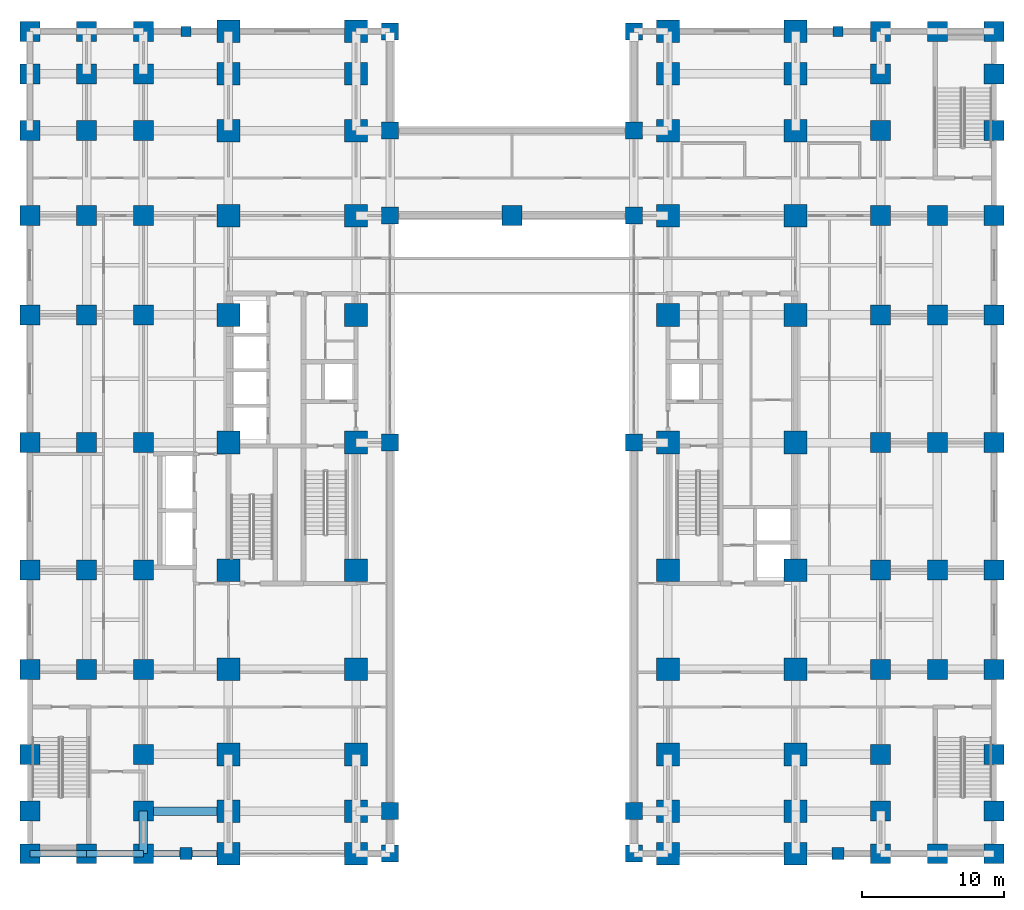
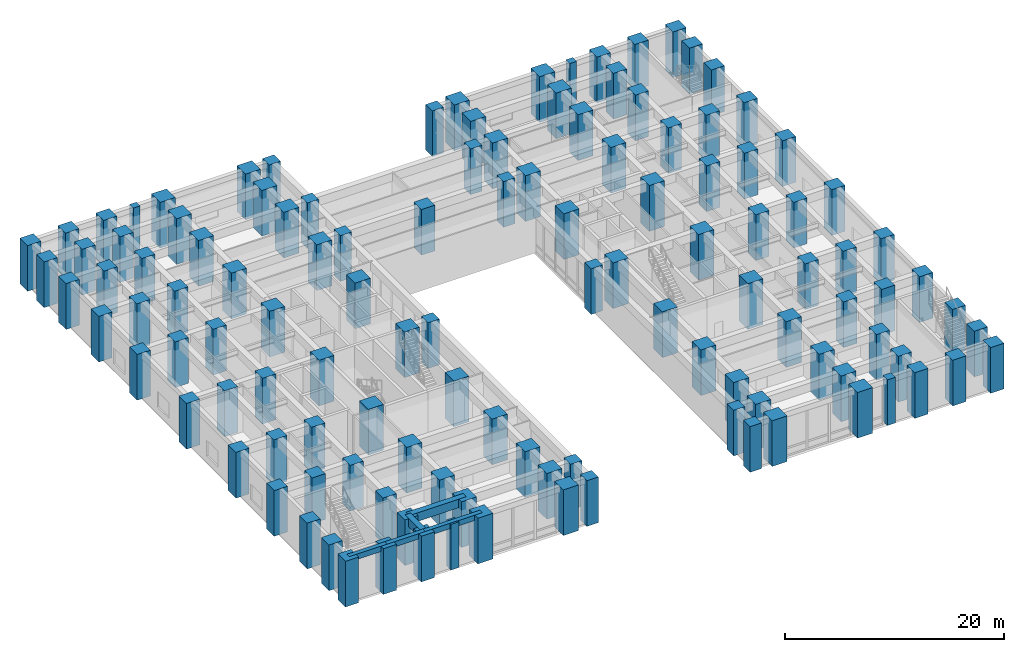
# One storey, part 1 of 21: 121 columns, 5 beams.
"""IFC4 building model written with IfcOpenShell, lengths in metres."""

from ifc_helpers import new_model, si_unit, direction, frame, origin, origin_2d, place, context, subcontext, project, spatial, rectangle, extrude, material, material_profile, profile_set, type_object, element, save


model = new_model("IFC4")

# Units and contexts
model_context = context("Model", 3, precision=1e-05, world=origin(), true_north=direction((0.0, 1.0)))
body_context = subcontext(model_context, "Body", "Model", "MODEL_VIEW")
ifc_project = project(units=[si_unit("LENGTHUNIT", "METRE"), si_unit("AREAUNIT", "SQUARE_METRE"), si_unit("VOLUMEUNIT", "CUBIC_METRE"), si_unit("PLANEANGLEUNIT", "RADIAN"), si_unit("MASSUNIT", "GRAM", prefix="KILO")], contexts=[model_context])

# Site, building, storey
site_placement = place(None, origin())
site = spatial("IfcSite", under=ifc_project, at=site_placement, CompositionType="ELEMENT")
building_placement = place(site_placement, origin())
building = spatial("IfcBuilding", under=site, at=building_placement, Name="Zulmaris Gate Convention Tower", CompositionType="ELEMENT")
storey_placement = place(building_placement, frame((0.0, 0.0, 5.43994140625)))
storey = spatial("IfcBuildingStorey", under=building, at=storey_placement, Name="L01", CompositionType="ELEMENT", Elevation=5.43994140625)

# Columns
ifc_material_1 = material(Name="Concrete C70/85", Category="concrete")
ifc_material_profile_1 = material_profile(ifc_material_1, rectangle(XDim=1.199951171875, YDim=1.199951171875, at=origin_2d()), Name="RC COL 1200x1200")
ifc_profile_set_1 = profile_set([ifc_material_profile_1], Name="Concrete C70/85")
column_type_1 = type_object("IfcColumnType", Name="COL-RC1200", PredefinedType="COLUMN", material=ifc_profile_set_1)
for number, where, z_axis, x_axis, name in (
    (1, (-8.60009765625, -29.0, 0.0), (0.0, 0.0, 1.0), (1.0, 0.0, 0.0), "L01 Column AR--8.6_-29.0"),
    (2, (8.60009765625, -29.0, 0.0), (0.0, 0.0, 1.0), (1.0, 0.0, 0.0), "L01 Column AR-+8.6_-29.0"),
    (3, (-8.60009765625, -26.0, 0.0), (0.0, 0.0, 1.0), (1.0, 0.0, 0.0), "L01 Column AR--8.6_-26.0"),
    (4, (8.60009765625, -26.0, 0.0), (0.0, 0.0, 1.0), (1.0, 0.0, 0.0), "L01 Column AR-+8.6_-26.0"),
    (5, (-8.60009765625, 0.0, 0.0), (0.0, 0.0, 1.0), (1.0, 0.0, 0.0), "L01 Column AR--8.6_+0.0"),
    (6, (8.60009765625, 0.0, 0.0), (0.0, 0.0, 1.0), (1.0, 0.0, 0.0), "L01 Column AR-+8.6_+0.0"),
    (7, (-8.60009765625, 16.0, 0.0), (0.0, 0.0, 1.0), (1.0, 0.0, 0.0), "L01 Column AR--8.6_+16.0"),
    (8, (8.60009765625, 16.0, 0.0), (0.0, 0.0, 1.0), (1.0, 0.0, 0.0), "L01 Column AR-+8.6_+16.0"),
    (9, (-8.60009765625, 22.0, 0.0), (0.0, 0.0, 1.0), (1.0, 0.0, 0.0), "L01 Column AR--8.6_+22.0"),
    (10, (8.60009765625, 22.0, 0.0), (0.0, 0.0, 1.0), (1.0, 0.0, 0.0), "L01 Column AR-+8.6_+22.0"),
    (11, (-8.60009765625, 29.0, 0.0), (0.0, 0.0, 1.0), (1.0, 0.0, 0.0), "L01 Column AR--8.6_+29.0"),
    (12, (8.60009765625, 29.0, 0.0), (0.0, 0.0, 1.0), (1.0, 0.0, 0.0), "L01 Column AR-+8.6_+29.0"),
):
    element("IfcColumn", number, at=place(storey_placement, frame(where, z_axis=z_axis, x_axis=x_axis)), inside=storey, type_object=column_type_1, Name=name, PredefinedType="COLUMN", context=body_context, shape_type="SweptSolid", body=[
        extrude(rectangle(XDim=1.199951171875, YDim=1.199951171875, at=origin_2d()), origin(), (0.0, 0.0, 1.0), 5.08984375),
    ])
ifc_material_2 = material(Name="Concrete C80/95", Category="concrete")
ifc_material_profile_2 = material_profile(ifc_material_2, rectangle(XDim=1.39990234375, YDim=1.39990234375, at=origin_2d()), Name="RC COL 1400x1400")
ifc_profile_set_2 = profile_set([ifc_material_profile_2], Name="Concrete C80/95")
column_type_2 = type_object("IfcColumnType", Name="COL-RC1400", PredefinedType="COLUMN", material=ifc_profile_set_2)
for number, where, z_axis, x_axis, name in (
    (13, (-34.0, -29.0, 0.0), (0.0, 0.0, 1.0), (1.0, 0.0, 0.0), "L01 Column G--34.0_-29.0"),
    (14, (-34.0, -26.0, 0.0), (0.0, 0.0, 1.0), (1.0, 0.0, 0.0), "L01 Column G--34.0_-26.0"),
    (15, (-34.0, -22.0, 0.0), (0.0, 0.0, 1.0), (1.0, 0.0, 0.0), "L01 Column G--34.0_-22.0"),
    (16, (-34.0, -16.0, 0.0), (0.0, 0.0, 1.0), (1.0, 0.0, 0.0), "L01 Column G--34.0_-16.0"),
    (17, (-34.0, -9.0, 0.0), (0.0, 0.0, 1.0), (1.0, 0.0, 0.0), "L01 Column G--34.0_-9.0"),
    (18, (-34.0, 0.0, 0.0), (0.0, 0.0, 1.0), (1.0, 0.0, 0.0), "L01 Column G--34.0_+0.0"),
    (19, (-34.0, 9.0, 0.0), (0.0, 0.0, 1.0), (1.0, 0.0, 0.0), "L01 Column G--34.0_+9.0"),
    (20, (-34.0, 16.0, 0.0), (0.0, 0.0, 1.0), (1.0, 0.0, 0.0), "L01 Column G--34.0_+16.0"),
    (21, (-34.0, 22.0, 0.0), (0.0, 0.0, 1.0), (1.0, 0.0, 0.0), "L01 Column G--34.0_+22.0"),
    (22, (-34.0, 26.0, 0.0), (0.0, 0.0, 1.0), (1.0, 0.0, 0.0), "L01 Column G--34.0_+26.0"),
    (23, (-34.0, 29.0, 0.0), (0.0, 0.0, 1.0), (1.0, 0.0, 0.0), "L01 Column G--34.0_+29.0"),
    (24, (-30.0, -29.0, 0.0), (0.0, 0.0, 1.0), (1.0, 0.0, 0.0), "L01 Column G--30.0_-29.0"),
    (25, (-30.0, -16.0, 0.0), (0.0, 0.0, 1.0), (1.0, 0.0, 0.0), "L01 Column G--30.0_-16.0"),
    (26, (-30.0, -9.0, 0.0), (0.0, 0.0, 1.0), (1.0, 0.0, 0.0), "L01 Column G--30.0_-9.0"),
    (27, (-30.0, 0.0, 0.0), (0.0, 0.0, 1.0), (1.0, 0.0, 0.0), "L01 Column G--30.0_+0.0"),
    (28, (-30.0, 9.0, 0.0), (0.0, 0.0, 1.0), (1.0, 0.0, 0.0), "L01 Column G--30.0_+9.0"),
    (29, (-30.0, 16.0, 0.0), (0.0, 0.0, 1.0), (1.0, 0.0, 0.0), "L01 Column G--30.0_+16.0"),
    (30, (-30.0, 22.0, 0.0), (0.0, 0.0, 1.0), (1.0, 0.0, 0.0), "L01 Column G--30.0_+22.0"),
    (31, (-30.0, 26.0, 0.0), (0.0, 0.0, 1.0), (1.0, 0.0, 0.0), "L01 Column G--30.0_+26.0"),
    (32, (-30.0, 29.0, 0.0), (0.0, 0.0, 1.0), (1.0, 0.0, 0.0), "L01 Column G--30.0_+29.0"),
    (33, (-26.0, -29.0, 0.0), (0.0, 0.0, 1.0), (1.0, 0.0, 0.0), "L01 Column G--26.0_-29.0"),
    (34, (-26.0, -26.0, 0.0), (0.0, 0.0, 1.0), (1.0, 0.0, 0.0), "L01 Column G--26.0_-26.0"),
    (35, (-26.0, -22.0, 0.0), (0.0, 0.0, 1.0), (1.0, 0.0, 0.0), "L01 Column G--26.0_-22.0"),
    (36, (-26.0, -16.0, 0.0), (0.0, 0.0, 1.0), (1.0, 0.0, 0.0), "L01 Column G--26.0_-16.0"),
    (37, (-26.0, -9.0, 0.0), (0.0, 0.0, 1.0), (1.0, 0.0, 0.0), "L01 Column G--26.0_-9.0"),
    (38, (-26.0, 0.0, 0.0), (0.0, 0.0, 1.0), (1.0, 0.0, 0.0), "L01 Column G--26.0_+0.0"),
    (39, (-26.0, 9.0, 0.0), (0.0, 0.0, 1.0), (1.0, 0.0, 0.0), "L01 Column G--26.0_+9.0"),
    (40, (-26.0, 16.0, 0.0), (0.0, 0.0, 1.0), (1.0, 0.0, 0.0), "L01 Column G--26.0_+16.0"),
    (41, (-26.0, 22.0, 0.0), (0.0, 0.0, 1.0), (1.0, 0.0, 0.0), "L01 Column G--26.0_+22.0"),
    (42, (-26.0, 26.0, 0.0), (0.0, 0.0, 1.0), (1.0, 0.0, 0.0), "L01 Column G--26.0_+26.0"),
    (43, (-26.0, 29.0, 0.0), (0.0, 0.0, 1.0), (1.0, 0.0, 0.0), "L01 Column G--26.0_+29.0"),
    (44, (0.0, 16.0, 0.0), (0.0, 0.0, 1.0), (1.0, 0.0, 0.0), "L01 Column G-+0.0_+16.0"),
    (45, (26.0, -29.0, 0.0), (0.0, 0.0, 1.0), (1.0, 0.0, 0.0), "L01 Column G-+26.0_-29.0"),
    (46, (26.0, -26.0, 0.0), (0.0, 0.0, 1.0), (1.0, 0.0, 0.0), "L01 Column G-+26.0_-26.0"),
    (47, (26.0, -22.0, 0.0), (0.0, 0.0, 1.0), (1.0, 0.0, 0.0), "L01 Column G-+26.0_-22.0"),
    (48, (26.0, -16.0, 0.0), (0.0, 0.0, 1.0), (1.0, 0.0, 0.0), "L01 Column G-+26.0_-16.0"),
    (49, (26.0, -9.0, 0.0), (0.0, 0.0, 1.0), (1.0, 0.0, 0.0), "L01 Column G-+26.0_-9.0"),
    (50, (26.0, 0.0, 0.0), (0.0, 0.0, 1.0), (1.0, 0.0, 0.0), "L01 Column G-+26.0_+0.0"),
    (51, (26.0, 9.0, 0.0), (0.0, 0.0, 1.0), (1.0, 0.0, 0.0), "L01 Column G-+26.0_+9.0"),
    (52, (26.0, 16.0, 0.0), (0.0, 0.0, 1.0), (1.0, 0.0, 0.0), "L01 Column G-+26.0_+16.0"),
    (53, (26.0, 22.0, 0.0), (0.0, 0.0, 1.0), (1.0, 0.0, 0.0), "L01 Column G-+26.0_+22.0"),
    (54, (26.0, 26.0, 0.0), (0.0, 0.0, 1.0), (1.0, 0.0, 0.0), "L01 Column G-+26.0_+26.0"),
    (55, (26.0, 29.0, 0.0), (0.0, 0.0, 1.0), (1.0, 0.0, 0.0), "L01 Column G-+26.0_+29.0"),
    (56, (30.0, -29.0, 0.0), (0.0, 0.0, 1.0), (1.0, 0.0, 0.0), "L01 Column G-+30.0_-29.0"),
    (57, (30.0, -16.0, 0.0), (0.0, 0.0, 1.0), (1.0, 0.0, 0.0), "L01 Column G-+30.0_-16.0"),
    (58, (30.0, -9.0, 0.0), (0.0, 0.0, 1.0), (1.0, 0.0, 0.0), "L01 Column G-+30.0_-9.0"),
    (59, (30.0, 0.0, 0.0), (0.0, 0.0, 1.0), (1.0, 0.0, 0.0), "L01 Column G-+30.0_+0.0"),
    (60, (30.0, 9.0, 0.0), (0.0, 0.0, 1.0), (1.0, 0.0, 0.0), "L01 Column G-+30.0_+9.0"),
    (61, (30.0, 16.0, 0.0), (0.0, 0.0, 1.0), (1.0, 0.0, 0.0), "L01 Column G-+30.0_+16.0"),
    (62, (30.0, 29.0, 0.0), (0.0, 0.0, 1.0), (1.0, 0.0, 0.0), "L01 Column G-+30.0_+29.0"),
    (63, (34.0, -29.0, 0.0), (0.0, 0.0, 1.0), (1.0, 0.0, 0.0), "L01 Column G-+34.0_-29.0"),
    (64, (34.0, -26.0, 0.0), (0.0, 0.0, 1.0), (1.0, 0.0, 0.0), "L01 Column G-+34.0_-26.0"),
    (65, (34.0, -22.0, 0.0), (0.0, 0.0, 1.0), (1.0, 0.0, 0.0), "L01 Column G-+34.0_-22.0"),
    (66, (34.0, -16.0, 0.0), (0.0, 0.0, 1.0), (1.0, 0.0, 0.0), "L01 Column G-+34.0_-16.0"),
    (67, (34.0, -9.0, 0.0), (0.0, 0.0, 1.0), (1.0, 0.0, 0.0), "L01 Column G-+34.0_-9.0"),
    (68, (34.0, 0.0, 0.0), (0.0, 0.0, 1.0), (1.0, 0.0, 0.0), "L01 Column G-+34.0_+0.0"),
    (69, (34.0, 9.0, 0.0), (0.0, 0.0, 1.0), (1.0, 0.0, 0.0), "L01 Column G-+34.0_+9.0"),
    (70, (34.0, 16.0, 0.0), (0.0, 0.0, 1.0), (1.0, 0.0, 0.0), "L01 Column G-+34.0_+16.0"),
    (71, (34.0, 22.0, 0.0), (0.0, 0.0, 1.0), (1.0, 0.0, 0.0), "L01 Column G-+34.0_+22.0"),
    (72, (34.0, 26.0, 0.0), (0.0, 0.0, 1.0), (1.0, 0.0, 0.0), "L01 Column G-+34.0_+26.0"),
    (73, (34.0, 29.0, 0.0), (0.0, 0.0, 1.0), (1.0, 0.0, 0.0), "L01 Column G-+34.0_+29.0"),
):
    element("IfcColumn", number, at=place(storey_placement, frame(where, z_axis=z_axis, x_axis=x_axis)), inside=storey, type_object=column_type_2, Name=name, PredefinedType="COLUMN", context=body_context, shape_type="SweptSolid", body=[
        extrude(rectangle(XDim=1.39990234375, YDim=1.39990234375, at=origin_2d()), origin(), (0.0, 0.0, 1.0), 5.08984375),
    ])
ifc_material_profile_3 = material_profile(ifc_material_2, rectangle(XDim=1.60009765625, YDim=1.60009765625, at=origin_2d()), Name="RC COL 1600x1600")
ifc_profile_set_3 = profile_set([ifc_material_profile_3], Name="Concrete C80/95")
column_type_3 = type_object("IfcColumnType", Name="COL-RC1600", PredefinedType="COLUMN", material=ifc_profile_set_3)
for number, where, z_axis, x_axis, name in (
    (74, (-20.0, -29.0, 0.0), (0.0, 0.0, 1.0), (1.0, 0.0, 0.0), "L01 Column G--20.0_-29.0"),
    (75, (-20.0, -26.0, 0.0), (0.0, 0.0, 1.0), (1.0, 0.0, 0.0), "L01 Column G--20.0_-26.0"),
    (76, (-20.0, -22.0, 0.0), (0.0, 0.0, 1.0), (1.0, 0.0, 0.0), "L01 Column G--20.0_-22.0"),
    (77, (-20.0, -16.0, 0.0), (0.0, 0.0, 1.0), (1.0, 0.0, 0.0), "L01 Column G--20.0_-16.0"),
    (78, (-20.0, -9.0, 0.0), (0.0, 0.0, 1.0), (1.0, 0.0, 0.0), "L01 Column G--20.0_-9.0"),
    (79, (-20.0, 0.0, 0.0), (0.0, 0.0, 1.0), (1.0, 0.0, 0.0), "L01 Column G--20.0_+0.0"),
    (80, (-20.0, 9.0, 0.0), (0.0, 0.0, 1.0), (1.0, 0.0, 0.0), "L01 Column G--20.0_+9.0"),
    (81, (-20.0, 16.0, 0.0), (0.0, 0.0, 1.0), (1.0, 0.0, 0.0), "L01 Column G--20.0_+16.0"),
    (82, (-20.0, 22.0, 0.0), (0.0, 0.0, 1.0), (1.0, 0.0, 0.0), "L01 Column G--20.0_+22.0"),
    (83, (-20.0, 26.0, 0.0), (0.0, 0.0, 1.0), (1.0, 0.0, 0.0), "L01 Column G--20.0_+26.0"),
    (84, (-20.0, 29.0, 0.0), (0.0, 0.0, 1.0), (1.0, 0.0, 0.0), "L01 Column G--20.0_+29.0"),
    (85, (-11.0, -29.0, 0.0), (0.0, 0.0, 1.0), (1.0, 0.0, 0.0), "L01 Column G--11.0_-29.0"),
    (86, (-11.0, -26.0, 0.0), (0.0, 0.0, 1.0), (1.0, 0.0, 0.0), "L01 Column G--11.0_-26.0"),
    (87, (-11.0, -22.0, 0.0), (0.0, 0.0, 1.0), (1.0, 0.0, 0.0), "L01 Column G--11.0_-22.0"),
    (88, (-11.0, -16.0, 0.0), (0.0, 0.0, 1.0), (1.0, 0.0, 0.0), "L01 Column G--11.0_-16.0"),
    (89, (-11.0, -9.0, 0.0), (0.0, 0.0, 1.0), (1.0, 0.0, 0.0), "L01 Column G--11.0_-9.0"),
    (90, (-11.0, 0.0, 0.0), (0.0, 0.0, 1.0), (1.0, 0.0, 0.0), "L01 Column G--11.0_+0.0"),
    (91, (-11.0, 9.0, 0.0), (0.0, 0.0, 1.0), (1.0, 0.0, 0.0), "L01 Column G--11.0_+9.0"),
    (92, (-11.0, 16.0, 0.0), (0.0, 0.0, 1.0), (1.0, 0.0, 0.0), "L01 Column G--11.0_+16.0"),
    (93, (-11.0, 22.0, 0.0), (0.0, 0.0, 1.0), (1.0, 0.0, 0.0), "L01 Column G--11.0_+22.0"),
    (94, (-11.0, 26.0, 0.0), (0.0, 0.0, 1.0), (1.0, 0.0, 0.0), "L01 Column G--11.0_+26.0"),
    (95, (-11.0, 29.0, 0.0), (0.0, 0.0, 1.0), (1.0, 0.0, 0.0), "L01 Column G--11.0_+29.0"),
    (96, (11.0, -29.0, 0.0), (0.0, 0.0, 1.0), (1.0, 0.0, 0.0), "L01 Column G-+11.0_-29.0"),
    (97, (11.0, -26.0, 0.0), (0.0, 0.0, 1.0), (1.0, 0.0, 0.0), "L01 Column G-+11.0_-26.0"),
    (98, (11.0, -22.0, 0.0), (0.0, 0.0, 1.0), (1.0, 0.0, 0.0), "L01 Column G-+11.0_-22.0"),
    (99, (11.0, -16.0, 0.0), (0.0, 0.0, 1.0), (1.0, 0.0, 0.0), "L01 Column G-+11.0_-16.0"),
    (100, (11.0, -9.0, 0.0), (0.0, 0.0, 1.0), (1.0, 0.0, 0.0), "L01 Column G-+11.0_-9.0"),
    (101, (11.0, 0.0, 0.0), (0.0, 0.0, 1.0), (1.0, 0.0, 0.0), "L01 Column G-+11.0_+0.0"),
    (102, (11.0, 9.0, 0.0), (0.0, 0.0, 1.0), (1.0, 0.0, 0.0), "L01 Column G-+11.0_+9.0"),
    (103, (11.0, 16.0, 0.0), (0.0, 0.0, 1.0), (1.0, 0.0, 0.0), "L01 Column G-+11.0_+16.0"),
    (104, (11.0, 22.0, 0.0), (0.0, 0.0, 1.0), (1.0, 0.0, 0.0), "L01 Column G-+11.0_+22.0"),
    (105, (11.0, 26.0, 0.0), (0.0, 0.0, 1.0), (1.0, 0.0, 0.0), "L01 Column G-+11.0_+26.0"),
    (106, (11.0, 29.0, 0.0), (0.0, 0.0, 1.0), (1.0, 0.0, 0.0), "L01 Column G-+11.0_+29.0"),
    (107, (20.0, -29.0, 0.0), (0.0, 0.0, 1.0), (1.0, 0.0, 0.0), "L01 Column G-+20.0_-29.0"),
    (108, (20.0, -26.0, 0.0), (0.0, 0.0, 1.0), (1.0, 0.0, 0.0), "L01 Column G-+20.0_-26.0"),
    (109, (20.0, -22.0, 0.0), (0.0, 0.0, 1.0), (1.0, 0.0, 0.0), "L01 Column G-+20.0_-22.0"),
    (110, (20.0, -16.0, 0.0), (0.0, 0.0, 1.0), (1.0, 0.0, 0.0), "L01 Column G-+20.0_-16.0"),
    (111, (20.0, -9.0, 0.0), (0.0, 0.0, 1.0), (1.0, 0.0, 0.0), "L01 Column G-+20.0_-9.0"),
    (112, (20.0, 0.0, 0.0), (0.0, 0.0, 1.0), (1.0, 0.0, 0.0), "L01 Column G-+20.0_+0.0"),
    (113, (20.0, 9.0, 0.0), (0.0, 0.0, 1.0), (1.0, 0.0, 0.0), "L01 Column G-+20.0_+9.0"),
    (114, (20.0, 16.0, 0.0), (0.0, 0.0, 1.0), (1.0, 0.0, 0.0), "L01 Column G-+20.0_+16.0"),
    (115, (20.0, 22.0, 0.0), (0.0, 0.0, 1.0), (1.0, 0.0, 0.0), "L01 Column G-+20.0_+22.0"),
    (116, (20.0, 26.0, 0.0), (0.0, 0.0, 1.0), (1.0, 0.0, 0.0), "L01 Column G-+20.0_+26.0"),
    (117, (20.0, 29.0, 0.0), (0.0, 0.0, 1.0), (1.0, 0.0, 0.0), "L01 Column G-+20.0_+29.0"),
):
    element("IfcColumn", number, at=place(storey_placement, frame(where, z_axis=z_axis, x_axis=x_axis)), inside=storey, type_object=column_type_3, Name=name, PredefinedType="COLUMN", context=body_context, shape_type="SweptSolid", body=[
        extrude(rectangle(XDim=1.60009765625, YDim=1.60009765625, at=origin_2d()), origin(), (0.0, 0.0, 1.0), 5.08984375),
    ])
ifc_material_3 = material(Name="Precast concrete C50/60", Category="concrete")
ifc_material_profile_4 = material_profile(ifc_material_3, rectangle(XDim=0.699951171875, YDim=0.699951171875, at=origin_2d()), Name="RC COL 700x700")
ifc_profile_set_4 = profile_set([ifc_material_profile_4], Name="Precast concrete C50/60")
column_type_4 = type_object("IfcColumnType", Name="PIL-RC700", PredefinedType="PILASTER", material=ifc_profile_set_4)
for number, where, z_axis, x_axis, name in (
    (118, (-23.0, 29.0, 0.0), (0.0, 0.0, 1.0), (1.0, 0.0, 0.0), "L01 Pilaster PIL--23.0_+29.0"),
    (119, (23.0, 29.0, 0.0), (0.0, 0.0, 1.0), (1.0, 0.0, 0.0), "L01 Pilaster PIL-+23.0_+29.0"),
):
    element("IfcColumn", number, at=place(storey_placement, frame(where, z_axis=z_axis, x_axis=x_axis)), inside=storey, type_object=column_type_4, Name=name, PredefinedType="PILASTER", context=body_context, shape_type="SweptSolid", body=[
        extrude(rectangle(XDim=0.699951171875, YDim=0.699951171875, at=origin_2d()), origin(), (0.0, 0.0, 1.0), 5.08984375),
    ])
ifc_material_profile_5 = material_profile(ifc_material_3, rectangle(XDim=0.85009765625, YDim=0.85009765625, at=origin_2d()), Name="RC COL 850x850")
ifc_profile_set_5 = profile_set([ifc_material_profile_5], Name="Precast concrete C50/60")
column_type_5 = type_object("IfcColumnType", Name="PIL-RC850", PredefinedType="PILASTER", material=ifc_profile_set_5)
for number, where, z_axis, x_axis, name in (
    (120, (-23.0, -29.0, 0.0), (0.0, 0.0, 1.0), (1.0, 0.0, 0.0), "L01 Pilaster PIL--23.0_-29.0"),
    (121, (23.0, -29.0, 0.0), (0.0, 0.0, 1.0), (1.0, 0.0, 0.0), "L01 Pilaster PIL-+23.0_-29.0"),
):
    element("IfcColumn", number, at=place(storey_placement, frame(where, z_axis=z_axis, x_axis=x_axis)), inside=storey, type_object=column_type_5, Name=name, PredefinedType="PILASTER", context=body_context, shape_type="SweptSolid", body=[
        extrude(rectangle(XDim=0.85009765625, YDim=0.85009765625, at=origin_2d()), origin(), (0.0, 0.0, 1.0), 5.08984375),
    ])

# Beams
ifc_material_4 = material(Name="Concrete C60/75", Category="concrete")
ifc_material_profile_6 = material_profile(ifc_material_4, rectangle(XDim=0.60009765625, YDim=0.949951171875, at=origin_2d()), Name="RC BEAM 600x950")
ifc_profile_set_6 = profile_set([ifc_material_profile_6], Name="Concrete C60/75")
beam_type_1 = type_object("IfcBeamType", Name="BM-RC600x950", PredefinedType="BEAM", material=ifc_profile_set_6)
beam_1_placement = place(storey_placement, frame((-26.0, -26.0, 4.614990234375), z_axis=(1.0, 0.0, 0.0), x_axis=(0.0, 1.0, 0.0)))
element("IfcBeam", 122, at=beam_1_placement, inside=storey, type_object=beam_type_1, Name="L01 Beam BM-L01-X--26.0--26.0", PredefinedType="BEAM", context=body_context, shape_type="SweptSolid", body=[
    extrude(rectangle(XDim=0.60009765625, YDim=0.949951171875, at=origin_2d()), origin(), (0.0, 0.0, 1.0), 6.0),
])
beam_2_placement = place(storey_placement, frame((-26.0, -29.0, 4.614990234375), z_axis=(0.0, 1.0, 0.0), x_axis=(-1.0, 0.0, 0.0)))
element("IfcBeam", 123, at=beam_2_placement, inside=storey, type_object=beam_type_1, Name="L01 Beam BM-L01-Y--26.0--29.0", PredefinedType="BEAM", context=body_context, shape_type="SweptSolid", body=[
    extrude(rectangle(XDim=0.60009765625, YDim=0.949951171875, at=origin_2d()), origin(), (0.0, 0.0, 1.0), 3.0),
])
ifc_material_profile_7 = material_profile(ifc_material_3, rectangle(XDim=0.449951171875, YDim=0.60009765625, at=origin_2d()), Name="RC SPANDREL 450x600")
ifc_profile_set_7 = profile_set([ifc_material_profile_7], Name="Precast concrete C50/60")
beam_type_2 = type_object("IfcBeamType", Name="BM-SP450x600", PredefinedType="SPANDREL", material=ifc_profile_set_7)
for number, where, z_axis, x_axis, name in (
    (124, (-34.0, -29.0, 4.7900390625), (1.0, 0.0, 0.0), (0.0, 1.0, 0.0), "L01 Spandrel BM-L01-X--29.0--34.0"),
    (125, (-30.0, -29.0, 4.7900390625), (1.0, 0.0, 0.0), (0.0, 1.0, 0.0), "L01 Spandrel BM-L01-X--29.0--30.0"),
):
    element("IfcBeam", number, at=place(storey_placement, frame(where, z_axis=z_axis, x_axis=x_axis)), inside=storey, type_object=beam_type_2, Name=name, PredefinedType="SPANDREL", context=body_context, shape_type="SweptSolid", body=[
        extrude(rectangle(XDim=0.449951171875, YDim=0.60009765625, at=origin_2d()), origin(), (0.0, 0.0, 1.0), 4.0),
    ])
beam_3_placement = place(storey_placement, frame((-26.0, -29.0, 4.7900390625), z_axis=(1.0, 0.0, 0.0), x_axis=(0.0, 1.0, 0.0)))
element("IfcBeam", 126, at=beam_3_placement, inside=storey, type_object=beam_type_2, Name="L01 Spandrel BM-L01-X--29.0--26.0", PredefinedType="SPANDREL", context=body_context, shape_type="SweptSolid", body=[
    extrude(rectangle(XDim=0.449951171875, YDim=0.60009765625, at=origin_2d()), origin(), (0.0, 0.0, 1.0), 6.0),
])

save(model, "model.ifc")
